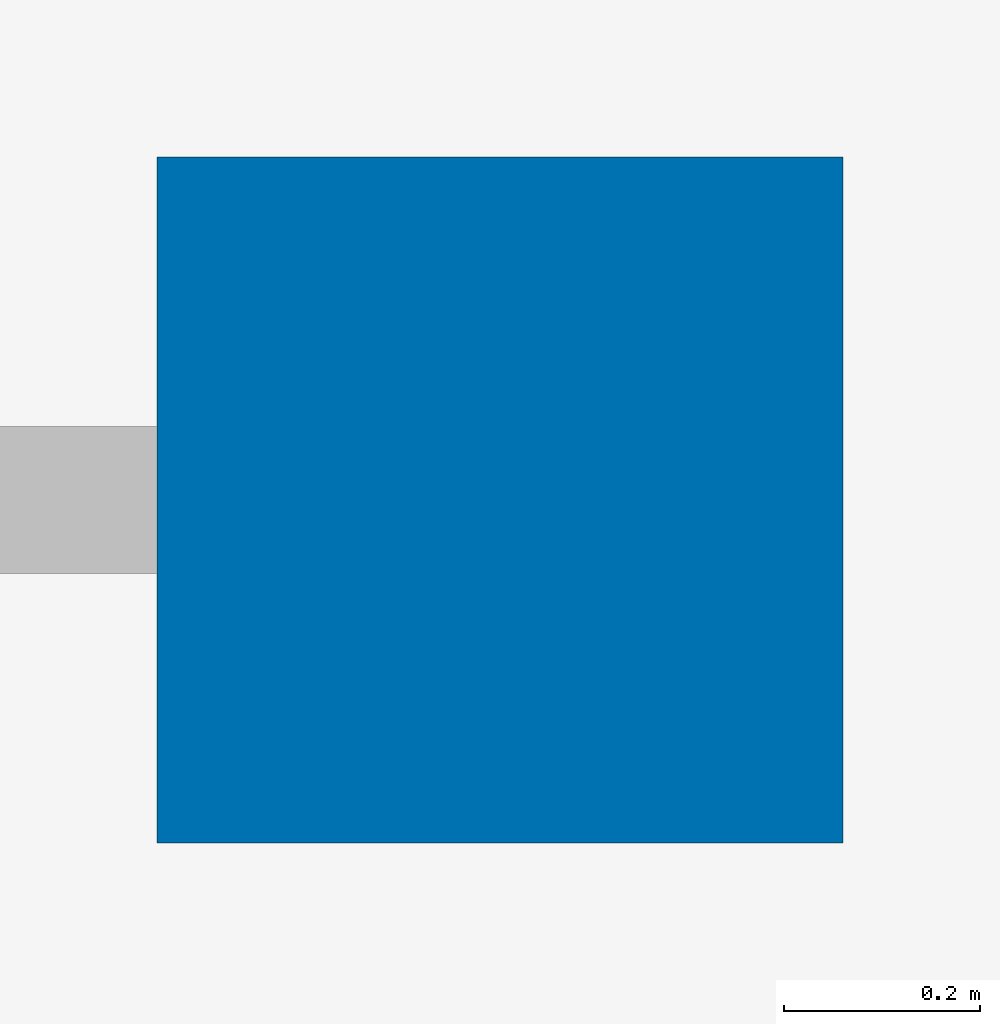
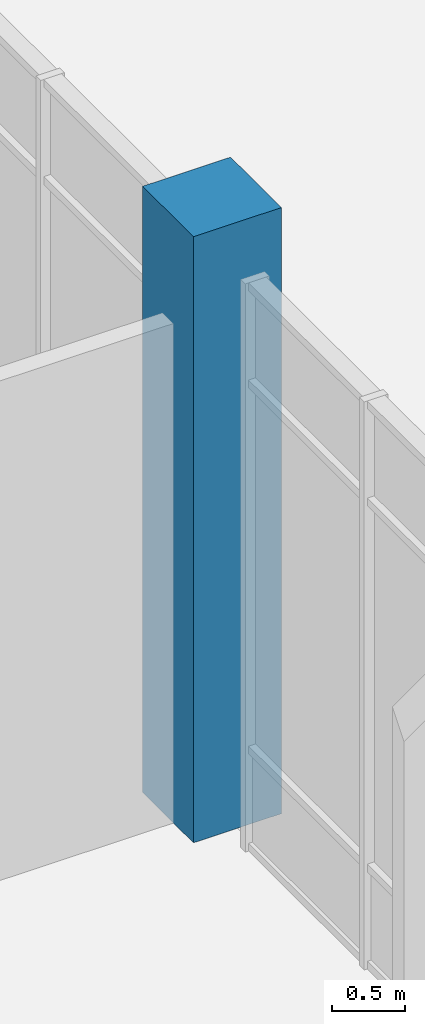
# One storey, part 20 of 94: 1 column.
"""IFC4 building model written with IfcOpenShell, lengths in metres."""

from ifc_helpers import new_model, si_unit, direction, frame, origin, origin_2d, place, context, subcontext, project, spatial, rectangle, extrude, material, material_profile, profile_set, type_object, element, save


model = new_model("IFC4")

# Units and contexts
model_context = context("Model", 3, precision=1e-05, world=origin(), true_north=direction((0.0, 1.0)))
body_context = subcontext(model_context, "Body", "Model", "MODEL_VIEW")
ifc_project = project(units=[si_unit("LENGTHUNIT", "METRE"), si_unit("AREAUNIT", "SQUARE_METRE"), si_unit("VOLUMEUNIT", "CUBIC_METRE"), si_unit("PLANEANGLEUNIT", "RADIAN"), si_unit("MASSUNIT", "GRAM", prefix="KILO")], contexts=[model_context])

# Site, building, storey
site_placement = place(None, origin())
site = spatial("IfcSite", under=ifc_project, at=site_placement, CompositionType="ELEMENT")
building_placement = place(site_placement, origin())
building = spatial("IfcBuilding", under=site, at=building_placement, Name="Vervanel Yard Central Library", CompositionType="ELEMENT")
storey_placement = place(building_placement, origin())
storey = spatial("IfcBuildingStorey", under=building, at=storey_placement, Name="L00", CompositionType="ELEMENT", Elevation=0.0)

# Column
ifc_material = material(Name="Concrete C40/50", Category="concrete")
ifc_material_profile = material_profile(ifc_material, rectangle(XDim=0.699951171875, YDim=0.699951171875, at=origin_2d()), Name="RC 700x700", Category="concrete")
ifc_profile_set = profile_set([ifc_material_profile], Name="Concrete C40/50")
column_type = type_object("IfcColumnType", Name="Concrete Column 700x700", PredefinedType="COLUMN", material=ifc_profile_set)
column_placement = place(storey_placement, frame((36.0, 58.800048828125, 0.0), z_axis=(0.0, 0.0, 1.0), x_axis=(1.0, 0.0, 0.0)))
element("IfcColumn", 1, at=column_placement, inside=storey, type_object=column_type, Name="L00 Concrete Column 700x700 (36.0, 58.8)", PredefinedType="COLUMN", context=body_context, shape_type="SweptSolid", body=[
    extrude(rectangle(XDim=0.699951171875, YDim=0.699951171875, at=origin_2d()), origin(), (0.0, 0.0, 1.0), 5.10009765625),
])

save(model, "model.ifc")
